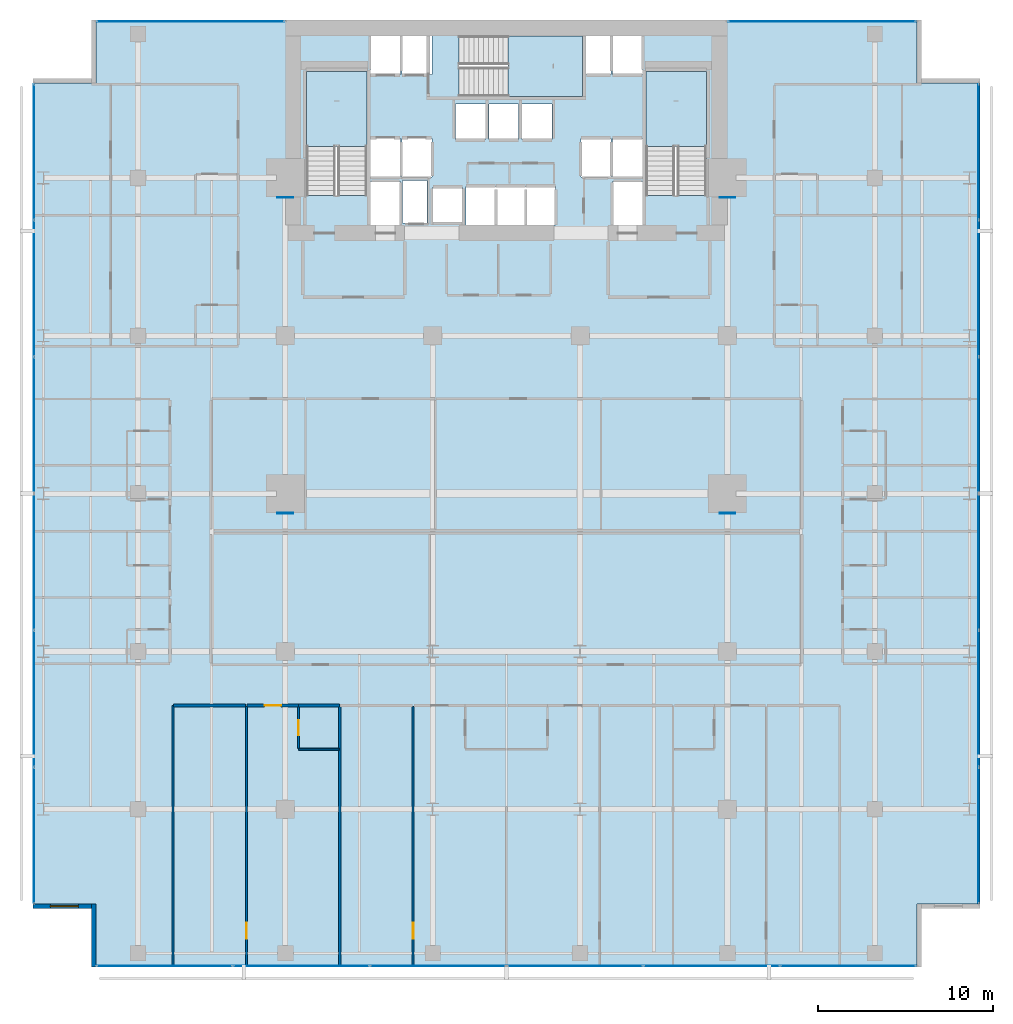
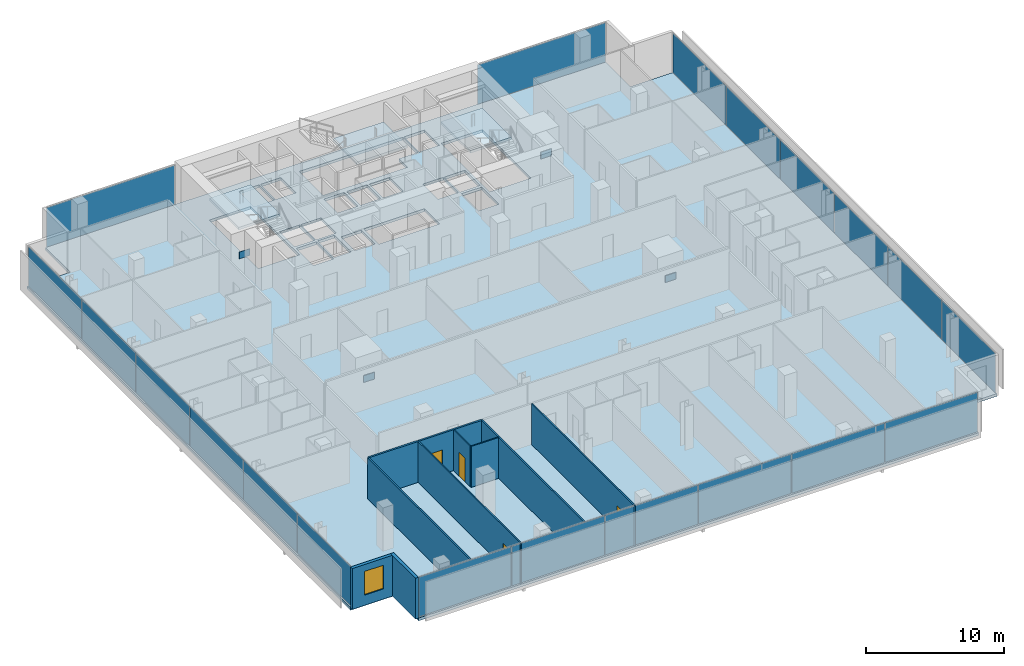
# One storey, part 32 of 40: 24 plates, 11 walls, 4 doors, 4 slabs, 1 window, 5 openings, 8 elements without a shape of their own.
"""IFC4 building model written with IfcOpenShell, lengths in metres."""

from ifc_helpers import new_model, si_unit, direction, frame, frame_2d, origin, origin_2d, place, context, subcontext, project, spatial, polyline, rectangle, outline, extrude, material, layer, layer_set, type_object, element, fill, aggregate, save


model = new_model("IFC4")

# Units and contexts
model_context = context("Model", 3, precision=1e-05, world=origin(), true_north=direction((0.0, 1.0)))
body_context = subcontext(model_context, "Body", "Model", "MODEL_VIEW")
ifc_project = project(units=[si_unit("LENGTHUNIT", "METRE"), si_unit("AREAUNIT", "SQUARE_METRE"), si_unit("VOLUMEUNIT", "CUBIC_METRE"), si_unit("PLANEANGLEUNIT", "RADIAN"), si_unit("MASSUNIT", "GRAM", prefix="KILO")], contexts=[model_context])

# Site, building, storey
site_placement = place(None, origin())
site = spatial("IfcSite", under=ifc_project, at=site_placement, CompositionType="ELEMENT")
building_placement = place(site_placement, origin())
building = spatial("IfcBuilding", under=site, at=building_placement, Name="Maruvema Waterfront Hotel and Observation Tower", CompositionType="ELEMENT")
storey_placement = place(building_placement, frame((0.0, 0.0, 107.800048828125)))
storey = spatial("IfcBuildingStorey", under=building, at=storey_placement, Name="L26", CompositionType="ELEMENT", Elevation=107.800048828125)

# Slab
ifc_material_1 = material(Name="Concrete C50/60", Category="concrete")
ifc_layer_1 = layer(ifc_material_1, 0.239990234375, Name="Reinforced Concrete Floor Slab 240 mm")
ifc_layer_set_1 = layer_set([ifc_layer_1], Name="Concrete C50/60")
slab_type_1 = type_object("IfcSlabType", Name="Reinforced Concrete Floor Slab 240 mm", PredefinedType="FLOOR", material=ifc_layer_set_1)
slab_1_placement = place(storey_placement, frame((0.0, 0.0, -0.239990234375)))
element("IfcSlab", 1, at=slab_1_placement, inside=storey, type_object=slab_type_1, Name="L26 Structural Floor Slab", PredefinedType="FLOOR", context=body_context, shape_type="SweptSolid", body=[
    extrude(outline(polyline([(14.39990234375, 0.0), (61.199951171875, 0.0), (61.199951171875, 3.60009765625), (64.800048828125, 3.60009765625), (64.800048828125, 50.39990234375), (61.199951171875, 50.39990234375), (61.199951171875, 54.0), (14.39990234375, 54.0), (14.39990234375, 50.39990234375), (10.800048828125, 50.39990234375), (10.800048828125, 3.60009765625), (14.39990234375, 3.60009765625), (14.39990234375, 0.0)]), holes=[polyline([(26.39990234375, 44.00048828125), (26.39990234375, 51.050048828125), (29.85009765625, 51.050048828125), (29.85009765625, 44.00048828125), (26.39990234375, 44.00048828125)]), polyline([(30.050048828125, 44.800048828125), (31.75, 44.800048828125), (31.75, 42.320068359375), (30.050048828125, 42.320068359375), (30.050048828125, 44.800048828125)]), polyline([(31.75, 47.25), (31.75, 45.050048828125), (30.050048828125, 45.050048828125), (30.050048828125, 47.25), (31.75, 47.25)]), polyline([(31.75, 53.10009765625), (31.75, 50.89990234375), (30.050048828125, 50.89990234375), (30.050048828125, 53.10009765625), (31.75, 53.10009765625)]), polyline([(33.280029296875, 44.860107421875), (33.280029296875, 42.43994140625), (31.8798828125, 42.43994140625), (31.8798828125, 44.860107421875), (33.280029296875, 44.860107421875)]), polyline([(31.85009765625, 47.25), (33.550048828125, 47.25), (33.550048828125, 45.050048828125), (31.85009765625, 45.050048828125), (31.85009765625, 47.25)]), polyline([(31.85009765625, 53.10009765625), (33.550048828125, 53.10009765625), (33.550048828125, 50.89990234375), (31.85009765625, 50.89990234375), (31.85009765625, 53.10009765625)]), polyline([(33.60009765625, 44.449951171875), (35.300048828125, 44.449951171875), (35.300048828125, 42.449951171875), (33.60009765625, 42.449951171875), (33.60009765625, 44.449951171875)]), polyline([(34.89990234375, 49.199951171875), (36.60009765625, 49.199951171875), (36.60009765625, 47.199951171875), (34.89990234375, 47.199951171875), (34.89990234375, 49.199951171875)]), polyline([(38.5, 49.199951171875), (38.5, 47.199951171875), (36.800048828125, 47.199951171875), (36.800048828125, 49.199951171875), (38.5, 49.199951171875)]), polyline([(35.5, 44.5), (40.60009765625, 44.5), (40.60009765625, 42.300048828125), (35.5, 42.300048828125), (35.5, 44.5)]), polyline([(43.75, 50.89990234375), (42.14990234375, 50.89990234375), (42.14990234375, 49.64990234375), (35.1005859375, 49.64990234375), (35.1005859375, 53.10009765625), (43.75, 53.10009765625), (43.75, 50.89990234375)]), polyline([(40.39990234375, 49.199951171875), (40.39990234375, 47.199951171875), (38.699951171875, 47.199951171875), (38.699951171875, 49.199951171875), (40.39990234375, 49.199951171875)]), polyline([(43.75, 47.25), (43.75, 45.050048828125), (42.050048828125, 45.050048828125), (42.050048828125, 47.25), (43.75, 47.25)]), polyline([(45.550048828125, 44.800048828125), (45.550048828125, 42.320068359375), (43.85009765625, 42.320068359375), (43.85009765625, 44.800048828125), (45.550048828125, 44.800048828125)]), polyline([(43.85009765625, 47.25), (45.550048828125, 47.25), (45.550048828125, 45.050048828125), (43.85009765625, 45.050048828125), (43.85009765625, 47.25)]), polyline([(45.550048828125, 53.10009765625), (45.550048828125, 50.89990234375), (43.85009765625, 50.89990234375), (43.85009765625, 53.10009765625), (45.550048828125, 53.10009765625)]), polyline([(45.75, 51.050048828125), (49.199951171875, 51.050048828125), (49.199951171875, 44.00048828125), (45.75, 44.00048828125), (45.75, 51.050048828125)])]), origin(), (0.0, 0.0, 1.0), 0.239990234375),
])

# Curtain wall, plates
ifc_material_2 = material(Name="Anodised bronze aluminium and solar-control low-E IGU", Category="aluminium")
ifc_layer_2 = layer(ifc_material_2, 0.159912109375, Name="Zone 1 Bronze Inner Thermal Curtain Wall System CW-02")
ifc_layer_set_2 = layer_set([ifc_layer_2], Name="Anodised bronze aluminium and solar-control low-E IGU")
curtain_wall_type = type_object("IfcCurtainWallType", Name="Zone 1 Bronze Inner Thermal Curtain Wall System CW-02", PredefinedType="USERDEFINED", material=ifc_layer_set_2)
curtain_wall_1_placement = place(storey_placement, origin())
curtain_wall_1 = element("IfcCurtainWall", 2, at=curtain_wall_1_placement, inside=storey, type_object=curtain_wall_type, Name="L26 Curtain Wall CW-L26-S", ObjectType="UNITISED CURTAIN WALL", PredefinedType="USERDEFINED")
ifc_material_3 = material(Name="Laminated low-E solar-control double glazing", Category="glass")
ifc_layer_3 = layer(ifc_material_3, 0.035888671875, Name="Solar Control Double-Glazed Curtain Panel 36 mm")
ifc_layer_set_3 = layer_set([ifc_layer_3], Name="Laminated low-E solar-control double glazing")
plate_type_1 = type_object("IfcPlateType", Name="Solar Control Double-Glazed Curtain Panel 36 mm", PredefinedType="CURTAIN_PANEL", material=ifc_layer_set_3)
plate_1_placement = place(storey_placement, frame((18.31494140625, 0.080078125, 0.06005859375), z_axis=(0.0, 0.0, 1.0), x_axis=(1.0, 0.0, 0.0)))
plate_1 = element("IfcPlate", 3, at=plate_1_placement, type_object=plate_type_1, Name="CW-02 panel 1.1", PredefinedType="CURTAIN_PANEL", context=body_context, shape_type="SweptSolid", body=[
    extrude(rectangle(XDim=7.7099609375, YDim=0.028076171875, at=origin_2d()), origin(), (0.0, 0.0, 1.0), 3.489990234375),
])
plate_2_placement = place(storey_placement, frame((26.10009765625, 0.080078125, 0.06005859375), z_axis=(0.0, 0.0, 1.0), x_axis=(1.0, 0.0, 0.0)))
plate_2 = element("IfcPlate", 4, at=plate_2_placement, type_object=plate_type_1, Name="CW-02 panel 2.1", PredefinedType="CURTAIN_PANEL", context=body_context, shape_type="SweptSolid", body=[
    extrude(rectangle(XDim=7.739990234375, YDim=0.028076171875, at=origin_2d()), origin(), (0.0, 0.0, 1.0), 3.489990234375),
])
plate_3_placement = place(storey_placement, frame((33.89990234375, 0.080078125, 0.06005859375), z_axis=(0.0, 0.0, 1.0), x_axis=(1.0, 0.0, 0.0)))
plate_3 = element("IfcPlate", 5, at=plate_3_placement, type_object=plate_type_1, Name="CW-02 panel 3.1", PredefinedType="CURTAIN_PANEL", context=body_context, shape_type="SweptSolid", body=[
    extrude(rectangle(XDim=7.739990234375, YDim=0.028076171875, at=origin_2d()), origin(), (0.0, 0.0, 1.0), 3.489990234375),
])
plate_4_placement = place(storey_placement, frame((41.699951171875, 0.080078125, 0.06005859375), z_axis=(0.0, 0.0, 1.0), x_axis=(1.0, 0.0, 0.0)))
plate_4 = element("IfcPlate", 6, at=plate_4_placement, type_object=plate_type_1, Name="CW-02 panel 4.1", PredefinedType="CURTAIN_PANEL", context=body_context, shape_type="SweptSolid", body=[
    extrude(rectangle(XDim=7.739990234375, YDim=0.028076171875, at=origin_2d()), origin(), (0.0, 0.0, 1.0), 3.489990234375),
])
plate_5_placement = place(storey_placement, frame((49.5, 0.080078125, 0.06005859375), z_axis=(0.0, 0.0, 1.0), x_axis=(1.0, 0.0, 0.0)))
plate_5 = element("IfcPlate", 7, at=plate_5_placement, type_object=plate_type_1, Name="CW-02 panel 5.1", PredefinedType="CURTAIN_PANEL", context=body_context, shape_type="SweptSolid", body=[
    extrude(rectangle(XDim=7.739990234375, YDim=0.028076171875, at=origin_2d()), origin(), (0.0, 0.0, 1.0), 3.489990234375),
])
plate_6_placement = place(storey_placement, frame((57.284912109375, 0.080078125, 0.06005859375), z_axis=(0.0, 0.0, 1.0), x_axis=(1.0, 0.0, 0.0)))
plate_6 = element("IfcPlate", 8, at=plate_6_placement, type_object=plate_type_1, Name="CW-02 panel 6.1", PredefinedType="CURTAIN_PANEL", context=body_context, shape_type="SweptSolid", body=[
    extrude(rectangle(XDim=7.7099609375, YDim=0.028076171875, at=origin_2d()), origin(), (0.0, 0.0, 1.0), 3.489990234375),
])
aggregate(curtain_wall_1, [plate_1, plate_2, plate_3, plate_4, plate_5, plate_6])

curtain_wall_2_placement = place(storey_placement, origin())
curtain_wall_2 = element("IfcCurtainWall", 9, at=curtain_wall_2_placement, inside=storey, type_object=curtain_wall_type, Name="L26 Curtain Wall CW-L26-E", ObjectType="UNITISED CURTAIN WALL", PredefinedType="USERDEFINED")
plate_7_placement = place(storey_placement, frame((64.719970703125, 7.514892578125, 0.06005859375), z_axis=(0.0, 0.0, 1.0), x_axis=(0.0, 1.0, 0.0)))
plate_7 = element("IfcPlate", 10, at=plate_7_placement, type_object=plate_type_1, Name="CW-02 panel 1.1", PredefinedType="CURTAIN_PANEL", context=body_context, shape_type="SweptSolid", body=[
    extrude(rectangle(XDim=7.7099609375, YDim=0.028076171875, at=origin_2d()), origin(), (0.0, 0.0, 1.0), 3.489990234375),
])
plate_8_placement = place(storey_placement, frame((64.719970703125, 15.300048828125, 0.06005859375), z_axis=(0.0, 0.0, 1.0), x_axis=(0.0, 1.0, 0.0)))
plate_8 = element("IfcPlate", 11, at=plate_8_placement, type_object=plate_type_1, Name="CW-02 panel 2.1", PredefinedType="CURTAIN_PANEL", context=body_context, shape_type="SweptSolid", body=[
    extrude(rectangle(XDim=7.739990234375, YDim=0.028076171875, at=origin_2d()), origin(), (0.0, 0.0, 1.0), 3.489990234375),
])
plate_9_placement = place(storey_placement, frame((64.719970703125, 23.10009765625, 0.06005859375), z_axis=(0.0, 0.0, 1.0), x_axis=(0.0, 1.0, 0.0)))
plate_9 = element("IfcPlate", 12, at=plate_9_placement, type_object=plate_type_1, Name="CW-02 panel 3.1", PredefinedType="CURTAIN_PANEL", context=body_context, shape_type="SweptSolid", body=[
    extrude(rectangle(XDim=7.739990234375, YDim=0.028076171875, at=origin_2d()), origin(), (0.0, 0.0, 1.0), 3.489990234375),
])
plate_10_placement = place(storey_placement, frame((64.719970703125, 30.89990234375, 0.06005859375), z_axis=(0.0, 0.0, 1.0), x_axis=(0.0, 1.0, 0.0)))
plate_10 = element("IfcPlate", 13, at=plate_10_placement, type_object=plate_type_1, Name="CW-02 panel 4.1", PredefinedType="CURTAIN_PANEL", context=body_context, shape_type="SweptSolid", body=[
    extrude(rectangle(XDim=7.739990234375, YDim=0.028076171875, at=origin_2d()), origin(), (0.0, 0.0, 1.0), 3.489990234375),
])
plate_11_placement = place(storey_placement, frame((64.719970703125, 38.699951171875, 0.06005859375), z_axis=(0.0, 0.0, 1.0), x_axis=(0.0, 1.0, 0.0)))
plate_11 = element("IfcPlate", 14, at=plate_11_placement, type_object=plate_type_1, Name="CW-02 panel 5.1", PredefinedType="CURTAIN_PANEL", context=body_context, shape_type="SweptSolid", body=[
    extrude(rectangle(XDim=7.739990234375, YDim=0.028076171875, at=origin_2d()), origin(), (0.0, 0.0, 1.0), 3.489990234375),
])
plate_12_placement = place(storey_placement, frame((64.719970703125, 46.485107421875, 0.06005859375), z_axis=(0.0, 0.0, 1.0), x_axis=(0.0, 1.0, 0.0)))
plate_12 = element("IfcPlate", 15, at=plate_12_placement, type_object=plate_type_1, Name="CW-02 panel 6.1", PredefinedType="CURTAIN_PANEL", context=body_context, shape_type="SweptSolid", body=[
    extrude(rectangle(XDim=7.7099609375, YDim=0.028076171875, at=origin_2d()), origin(), (0.0, 0.0, 1.0), 3.489990234375),
])
aggregate(curtain_wall_2, [plate_7, plate_8, plate_9, plate_10, plate_11, plate_12])

curtain_wall_3_placement = place(storey_placement, origin())
curtain_wall_3 = element("IfcCurtainWall", 16, at=curtain_wall_3_placement, inside=storey, type_object=curtain_wall_type, Name="L26 Curtain Wall CW-L26-W", ObjectType="UNITISED CURTAIN WALL", PredefinedType="USERDEFINED")
plate_13_placement = place(storey_placement, frame((10.8798828125, 46.485107421875, 0.06005859375), z_axis=(0.0, 0.0, 1.0), x_axis=(0.0, -1.0, 0.0)))
plate_13 = element("IfcPlate", 17, at=plate_13_placement, type_object=plate_type_1, Name="CW-02 panel 1.1", PredefinedType="CURTAIN_PANEL", context=body_context, shape_type="SweptSolid", body=[
    extrude(rectangle(XDim=7.7099609375, YDim=0.028076171875, at=origin_2d()), origin(), (0.0, 0.0, 1.0), 3.489990234375),
])
plate_14_placement = place(storey_placement, frame((10.8798828125, 38.699951171875, 0.06005859375), z_axis=(0.0, 0.0, 1.0), x_axis=(0.0, -1.0, 0.0)))
plate_14 = element("IfcPlate", 18, at=plate_14_placement, type_object=plate_type_1, Name="CW-02 panel 2.1", PredefinedType="CURTAIN_PANEL", context=body_context, shape_type="SweptSolid", body=[
    extrude(rectangle(XDim=7.739990234375, YDim=0.028076171875, at=origin_2d()), origin(), (0.0, 0.0, 1.0), 3.489990234375),
])
plate_15_placement = place(storey_placement, frame((10.8798828125, 30.89990234375, 0.06005859375), z_axis=(0.0, 0.0, 1.0), x_axis=(0.0, -1.0, 0.0)))
plate_15 = element("IfcPlate", 19, at=plate_15_placement, type_object=plate_type_1, Name="CW-02 panel 3.1", PredefinedType="CURTAIN_PANEL", context=body_context, shape_type="SweptSolid", body=[
    extrude(rectangle(XDim=7.739990234375, YDim=0.028076171875, at=origin_2d()), origin(), (0.0, 0.0, 1.0), 3.489990234375),
])
plate_16_placement = place(storey_placement, frame((10.8798828125, 23.10009765625, 0.06005859375), z_axis=(0.0, 0.0, 1.0), x_axis=(0.0, -1.0, 0.0)))
plate_16 = element("IfcPlate", 20, at=plate_16_placement, type_object=plate_type_1, Name="CW-02 panel 4.1", PredefinedType="CURTAIN_PANEL", context=body_context, shape_type="SweptSolid", body=[
    extrude(rectangle(XDim=7.739990234375, YDim=0.028076171875, at=origin_2d()), origin(), (0.0, 0.0, 1.0), 3.489990234375),
])
plate_17_placement = place(storey_placement, frame((10.8798828125, 15.300048828125, 0.06005859375), z_axis=(0.0, 0.0, 1.0), x_axis=(0.0, -1.0, 0.0)))
plate_17 = element("IfcPlate", 21, at=plate_17_placement, type_object=plate_type_1, Name="CW-02 panel 5.1", PredefinedType="CURTAIN_PANEL", context=body_context, shape_type="SweptSolid", body=[
    extrude(rectangle(XDim=7.739990234375, YDim=0.028076171875, at=origin_2d()), origin(), (0.0, 0.0, 1.0), 3.489990234375),
])
plate_18_placement = place(storey_placement, frame((10.8798828125, 7.514892578125, 0.06005859375), z_axis=(0.0, 0.0, 1.0), x_axis=(0.0, -1.0, 0.0)))
plate_18 = element("IfcPlate", 22, at=plate_18_placement, type_object=plate_type_1, Name="CW-02 panel 6.1", PredefinedType="CURTAIN_PANEL", context=body_context, shape_type="SweptSolid", body=[
    extrude(rectangle(XDim=7.7099609375, YDim=0.028076171875, at=origin_2d()), origin(), (0.0, 0.0, 1.0), 3.489990234375),
])
aggregate(curtain_wall_3, [plate_13, plate_14, plate_15, plate_16, plate_17, plate_18])

# Curtain wall, plate
curtain_wall_4_placement = place(storey_placement, origin())
curtain_wall_4 = element("IfcCurtainWall", 23, at=curtain_wall_4_placement, inside=storey, type_object=curtain_wall_type, Name="L26 Curtain Wall CW-L26-NW", ObjectType="UNITISED CURTAIN WALL", PredefinedType="USERDEFINED")
plate_19_placement = place(storey_placement, frame((19.800048828125, 53.919921875, 0.06005859375), z_axis=(0.0, 0.0, 1.0), x_axis=(-1.0, 0.0, 0.0)))
plate_19 = element("IfcPlate", 24, at=plate_19_placement, type_object=plate_type_1, Name="CW-02 panel 1.1", PredefinedType="CURTAIN_PANEL", context=body_context, shape_type="SweptSolid", body=[
    extrude(rectangle(XDim=10.679931640625, YDim=0.028076171875, at=origin_2d()), origin(), (0.0, 0.0, 1.0), 3.489990234375),
])
aggregate(curtain_wall_4, [plate_19])

curtain_wall_5_placement = place(storey_placement, origin())
curtain_wall_5 = element("IfcCurtainWall", 25, at=curtain_wall_5_placement, inside=storey, type_object=curtain_wall_type, Name="L26 Curtain Wall CW-L26-NE", ObjectType="UNITISED CURTAIN WALL", PredefinedType="USERDEFINED")
plate_20_placement = place(storey_placement, frame((55.800048828125, 53.919921875, 0.06005859375), z_axis=(0.0, 0.0, 1.0), x_axis=(-1.0, 0.0, 0.0)))
plate_20 = element("IfcPlate", 26, at=plate_20_placement, type_object=plate_type_1, Name="CW-02 panel 1.1", PredefinedType="CURTAIN_PANEL", context=body_context, shape_type="SweptSolid", body=[
    extrude(rectangle(XDim=10.679931640625, YDim=0.028076171875, at=origin_2d()), origin(), (0.0, 0.0, 1.0), 3.489990234375),
])
aggregate(curtain_wall_5, [plate_20])

# Stair, slab
ifc_material_4 = material(Name="Concrete C50/60", Category="concrete")
stair_type = type_object("IfcStairType", Name="Dogleg Exit Stair 1650 mm (22R x 175.0 mm)", PredefinedType="HALF_TURN_STAIR", material=ifc_material_4)
stair_1_placement = place(storey_placement, origin())
stair_1 = element("IfcStair", 27, at=stair_1_placement, inside=storey, type_object=stair_type, Name="L26 ST-01", PredefinedType="HALF_TURN_STAIR")
ifc_material_5 = material(Name="Concrete C50/60", Category="concrete")
ifc_layer_4 = layer(ifc_material_5, 0.219970703125, Name="Stair Concrete Landing Slab 220 mm")
ifc_layer_set_4 = layer_set([ifc_layer_4], Name="Concrete C50/60")
slab_type_2 = type_object("IfcSlabType", Name="Stair Concrete Landing Slab 220 mm", PredefinedType="LANDING", material=ifc_layer_set_4)
slab_2_placement = place(storey_placement, frame((0.0, 0.0, 1.704833984375)))
slab_2 = element("IfcSlab", 28, at=slab_2_placement, type_object=slab_type_2, Name="ST-01 landing 1", PredefinedType="LANDING", context=body_context, shape_type="SweptSolid", body=[
    extrude(outline(polyline([(29.85009765625, 46.800048828125), (29.85009765625, 51.050048828125), (26.39990234375, 51.050048828125), (26.39990234375, 46.800048828125), (29.85009765625, 46.800048828125)])), origin(), (0.0, 0.0, 1.0), 0.22021484375),
])
aggregate(stair_1, [slab_2])

stair_2_placement = place(storey_placement, origin())
stair_2 = element("IfcStair", 29, at=stair_2_placement, inside=storey, type_object=stair_type, Name="L26 ST-02", PredefinedType="HALF_TURN_STAIR")
slab_3_placement = place(storey_placement, frame((0.0, 0.0, 1.704833984375)))
slab_3 = element("IfcSlab", 30, at=slab_3_placement, type_object=slab_type_2, Name="ST-02 landing 1", PredefinedType="LANDING", context=body_context, shape_type="SweptSolid", body=[
    extrude(outline(polyline([(37.89990234375, 49.64990234375), (42.14990234375, 49.64990234375), (42.14990234375, 53.10009765625), (37.89990234375, 53.10009765625), (37.89990234375, 49.64990234375)])), origin(), (0.0, 0.0, 1.0), 0.22021484375),
])
aggregate(stair_2, [slab_3])

stair_3_placement = place(storey_placement, origin())
stair_3 = element("IfcStair", 31, at=stair_3_placement, inside=storey, type_object=stair_type, Name="L26 ST-03", PredefinedType="HALF_TURN_STAIR")
slab_4_placement = place(storey_placement, frame((0.0, 0.0, 1.704833984375)))
slab_4 = element("IfcSlab", 32, at=slab_4_placement, type_object=slab_type_2, Name="ST-03 landing 1", PredefinedType="LANDING", context=body_context, shape_type="SweptSolid", body=[
    extrude(outline(polyline([(49.199951171875, 46.800048828125), (49.199951171875, 51.050048828125), (45.75, 51.050048828125), (45.75, 46.800048828125), (49.199951171875, 46.800048828125)])), origin(), (0.0, 0.0, 1.0), 0.22021484375),
])
aggregate(stair_3, [slab_4])

# Plates
ifc_material_6 = material(Name="Steel ABNT NBR 7007 AR 415 (ASTM A572 Grade 50)", Category="steel")
ifc_layer_5 = layer(ifc_material_6, 0.0400390625, Name="Structural Truss Node Gusset Plate 40 mm")
ifc_layer_set_5 = layer_set([ifc_layer_5], Name="Steel ABNT NBR 7007 AR 415 (ASTM A572 Grade 50)")
plate_type_2 = type_object("IfcPlateType", Name="Structural Truss Node Gusset Plate 40 mm", PredefinedType="USERDEFINED", material=ifc_layer_set_5)
for number, where, z_axis, x_axis, name in (
    (33, (25.199951171875, 25.8798828125, 1.5), (0.0, 0.0, 1.0), (1.0, 0.0, 0.0), "L26 MC-01 Moment Frame Continuity Gusset Plate"),
    (34, (50.39990234375, 25.8798828125, 1.5), (0.0, 0.0, 1.0), (1.0, 0.0, 0.0), "L26 MC-02 Moment Frame Continuity Gusset Plate"),
    (35, (25.199951171875, 43.8798828125, 1.5), (0.0, 0.0, 1.0), (1.0, 0.0, 0.0), "L26 MC-03 Moment Frame Continuity Gusset Plate"),
    (36, (50.39990234375, 43.8798828125, 1.5), (0.0, 0.0, 1.0), (1.0, 0.0, 0.0), "L26 MC-04 Moment Frame Continuity Gusset Plate"),
):
    element("IfcPlate", number, at=place(storey_placement, frame(where, z_axis=z_axis, x_axis=x_axis)), inside=storey, type_object=plate_type_2, Name=name, ObjectType="GUSSET_PLATE", PredefinedType="USERDEFINED", context=body_context, shape_type="SweptSolid", body=[
        extrude(rectangle(XDim=0.89990234375, YDim=0.0400390625, at=origin_2d()), origin(), (0.0, 0.0, 1.0), 0.60009765625),
    ])

# Walls
ifc_material_7 = material(Name="Twin-stud acoustic gypsum drywall", Category="gypsum")
ifc_layer_6 = layer(ifc_material_7, 0.14990234375, Name="Acoustic Corridor and Suite Demising Wall 150 mm")
ifc_layer_set_6 = layer_set([ifc_layer_6], Name="Twin-stud acoustic gypsum drywall")
wall_type_1 = type_object("IfcWallType", Name="Acoustic Corridor and Suite Demising Wall 150 mm", PredefinedType="PARTITIONING", material=ifc_layer_set_6)
wall_1_placement = place(storey_placement, frame((25.949951171875, 14.919921875, 0.0), z_axis=(0.0, 0.0, 1.0), x_axis=(1.0, 0.0, 0.0)))
element("IfcWall", 37, at=wall_1_placement, inside=storey, type_object=wall_type_1, Name="L26 Bath L26-S1 Back Wall 040", PredefinedType="PARTITIONING", context=body_context, shape_type="SweptSolid", body=[
    extrude(rectangle(XDim=2.330078125, YDim=0.14990234375, at=frame_2d((1.1650390625, 0.0))), origin(), (0.0, 0.0, 1.0), 3.60986328125),
])
wall_2_placement = place(storey_placement, frame((18.820068359375, 14.919921875, 0.0), z_axis=(0.0, 0.0, 1.0), x_axis=(1.0, 0.0, 0.0)))
element("IfcWall", 38, at=wall_2_placement, inside=storey, type_object=wall_type_1, Name="L26 Bedroom L26-S1 Back Wall 043", PredefinedType="PARTITIONING", context=body_context, shape_type="SweptSolid", body=[
    extrude(rectangle(XDim=4.119873046875, YDim=0.14990234375, at=frame_2d((2.06005859375, 0.0))), origin(), (0.0, 0.0, 1.0), 3.60986328125),
])

# Wall, opening, door
wall_3_placement = place(storey_placement, frame((23.02001953125, 14.919921875, 0.0), z_axis=(0.0, 0.0, 1.0), x_axis=(1.0, 0.0, 0.0)))
wall_3 = element("IfcWall", 39, at=wall_3_placement, inside=storey, type_object=wall_type_1, Name="L26 Unit L26-S1 Corridor Wall 044", PredefinedType="PARTITIONING", context=body_context, shape_type="SweptSolid", body=[
    extrude(rectangle(XDim=2.929931640625, YDim=0.14990234375, at=frame_2d((1.46484375, 0.0))), origin(), (0.0, 0.0, 1.0), 3.60986328125),
])
opening_1_placement = place(wall_3_placement, frame((0.989990234375, 0.0, 0.0)))
opening_1 = element("IfcOpeningElement", 40, at=opening_1_placement, cuts=wall_3, Name="Opening DR-095", PredefinedType="OPENING", context=body_context, shape_type="SweptSolid", body=[
    extrude(rectangle(XDim=0.949951171875, YDim=2.14990234375, at=frame_2d((0.47509765625, 1.074951171875))), frame((0.0, 0.0849609375, 0.0), z_axis=(0.0, -1.0, 0.0), x_axis=(1.0, 0.0, 0.0)), (0.0, 0.0, 1.0), 0.169921875),
])
ifc_material_8 = material(Name="Acoustic solid-core hardwood timber leaf", Category="wood")
door_type_1 = type_object("IfcDoorType", Name="Guestroom Entrance Fire Door 950x2150 mm", OperationType="NOTDEFINED", PredefinedType="DOOR", material=ifc_material_8)
door_1_placement = place(opening_1_placement, frame((0.949951171875, 0.0, 0.0), z_axis=(0.0, 0.0, 1.0), x_axis=(-1.0, 0.0, 0.0)))
door_1 = element("IfcDoor", 41, at=door_1_placement, inside=storey, type_object=door_type_1, Name="L26 Unit L26-S1 Entrance Door", OperationType="SINGLE_SWING_LEFT", OverallHeight=2.14990234375, OverallWidth=0.949951171875, PredefinedType="DOOR", context=body_context, shape_type="SweptSolid", body=[
    extrude(rectangle(XDim=0.949951171875, YDim=2.14990234375, at=frame_2d((0.47509765625, 1.074951171875))), frame((0.0, 0.02490234375, 0.0), z_axis=(0.0, -1.0, 0.0), x_axis=(1.0, 0.0, 0.0)), (0.0, 0.0, 1.0), 0.050048828125),
])
fill(opening_1, door_1)

# Wall
ifc_material_9 = material(Name="Moisture-resistant cement-board drywall", Category="gypsum")
ifc_layer_7 = layer(ifc_material_9, 0.10009765625, Name="En-Suite Moisture-Resistant Partition 100 mm")
ifc_layer_set_7 = layer_set([ifc_layer_7], Name="Moisture-resistant cement-board drywall")
wall_type_2 = type_object("IfcWallType", Name="En-Suite Moisture-Resistant Partition 100 mm", PredefinedType="PARTITIONING", material=ifc_layer_set_7)
wall_4_placement = place(storey_placement, frame((25.949951171875, 12.419921875, 0.0), z_axis=(0.0, 0.0, 1.0), x_axis=(1.0, 0.0, 0.0)))
element("IfcWall", 42, at=wall_4_placement, inside=storey, type_object=wall_type_2, Name="L26 En-Suite L26-S1 South 041", PredefinedType="PARTITIONING", context=body_context, shape_type="SweptSolid", body=[
    extrude(rectangle(XDim=2.31005859375, YDim=0.10009765625, at=frame_2d((1.155029296875, 0.0))), origin(), (0.0, 0.0, 1.0), 3.60986328125),
])

# Wall, opening, door
wall_5_placement = place(storey_placement, frame((25.949951171875, 12.47998046875, 0.0), z_axis=(0.0, 0.0, 1.0), x_axis=(0.0, 1.0, 0.0)))
wall_5 = element("IfcWall", 43, at=wall_5_placement, inside=storey, type_object=wall_type_2, Name="L26 En-Suite L26-S1 West 042", PredefinedType="PARTITIONING", context=body_context, shape_type="SweptSolid", body=[
    extrude(rectangle(XDim=2.340087890625, YDim=0.10009765625, at=frame_2d((1.169921875, 0.0))), origin(), (0.0, 0.0, 1.0), 3.60986328125),
])
opening_2_placement = place(wall_5_placement, frame((0.7451171875, 0.0, 0.0)))
opening_2 = element("IfcOpeningElement", 44, at=opening_2_placement, cuts=wall_5, Name="Opening DR-085", PredefinedType="OPENING", context=body_context, shape_type="SweptSolid", body=[
    extrude(rectangle(XDim=0.85009765625, YDim=2.10009765625, at=frame_2d((0.425048828125, 1.050048828125))), frame((0.0, 0.06005859375, 0.0), z_axis=(0.0, -1.0, 0.0), x_axis=(1.0, 0.0, 0.0)), (0.0, 0.0, 1.0), 0.1201171875),
])
ifc_material_10 = material(Name="Moisture-resistant solid timber leaf", Category="wood")
door_type_2 = type_object("IfcDoorType", Name="En-Suite Bathroom Door 850x2100 mm", OperationType="NOTDEFINED", PredefinedType="DOOR", material=ifc_material_10)
door_2_placement = place(opening_2_placement, origin())
door_2 = element("IfcDoor", 45, at=door_2_placement, inside=storey, type_object=door_type_2, Name="L26 En-Suite L26-S1 Door", OperationType="SINGLE_SWING_RIGHT", OverallHeight=2.10009765625, OverallWidth=0.85009765625, PredefinedType="DOOR", context=body_context, shape_type="SweptSolid", body=[
    extrude(rectangle(XDim=0.85009765625, YDim=2.10009765625, at=frame_2d((0.425048828125, 1.050048828125))), frame((0.0, 0.02490234375, 0.0), z_axis=(0.0, -1.0, 0.0), x_axis=(1.0, 0.0, 0.0)), (0.0, 0.0, 1.0), 0.050048828125),
])
fill(opening_2, door_2)

wall_6_placement = place(storey_placement, frame((22.97998046875, 0.030029296875, 0.0), z_axis=(0.0, 0.0, 1.0), x_axis=(0.0, 1.0, 0.0)))
wall_6 = element("IfcWall", 46, at=wall_6_placement, inside=storey, type_object=wall_type_2, Name="L26 Suite L26-S1 Split 045", PredefinedType="PARTITIONING", context=body_context, shape_type="SweptSolid", body=[
    extrude(rectangle(XDim=14.830078125, YDim=0.10009765625, at=frame_2d((7.4150390625, 0.0))), origin(), (0.0, 0.0, 1.0), 3.60986328125),
])
opening_3_placement = place(wall_6_placement, frame((1.60009765625, 0.0, 0.0)))
opening_3 = element("IfcOpeningElement", 47, at=opening_3_placement, cuts=wall_6, Name="Opening DR-090", PredefinedType="OPENING", context=body_context, shape_type="SweptSolid", body=[
    extrude(rectangle(XDim=0.89990234375, YDim=2.10009765625, at=frame_2d((0.449951171875, 1.050048828125))), frame((0.0, 0.06005859375, 0.0), z_axis=(0.0, -1.0, 0.0), x_axis=(1.0, 0.0, 0.0)), (0.0, 0.0, 1.0), 0.1201171875),
])
ifc_material_11 = material(Name="Solid-core lacquered timber leaf", Category="wood")
door_type_3 = type_object("IfcDoorType", Name="Accessible Toilet and Room Door 900x2100 mm", OperationType="NOTDEFINED", PredefinedType="DOOR", material=ifc_material_11)
door_3_placement = place(opening_3_placement, frame((0.89990234375, 0.0, 0.0), z_axis=(0.0, 0.0, 1.0), x_axis=(-1.0, 0.0, 0.0)))
door_3 = element("IfcDoor", 48, at=door_3_placement, inside=storey, type_object=door_type_3, Name="L26 Suite L26-S1 Bedroom Door", OperationType="SINGLE_SWING_RIGHT", OverallHeight=2.10009765625, OverallWidth=0.89990234375, PredefinedType="DOOR", context=body_context, shape_type="SweptSolid", body=[
    extrude(rectangle(XDim=0.89990234375, YDim=2.10009765625, at=frame_2d((0.449951171875, 1.050048828125))), frame((0.0, 0.02490234375, 0.0), z_axis=(0.0, -1.0, 0.0), x_axis=(1.0, 0.0, 0.0)), (0.0, 0.0, 1.0), 0.050048828125),
])
fill(opening_3, door_3)

wall_7_placement = place(storey_placement, frame((32.47998046875, 0.030029296875, 0.0), z_axis=(0.0, 0.0, 1.0), x_axis=(0.0, 1.0, 0.0)))
wall_7 = element("IfcWall", 49, at=wall_7_placement, inside=storey, type_object=wall_type_2, Name="L26 Suite L26-S2 Split 052", PredefinedType="PARTITIONING", context=body_context, shape_type="SweptSolid", body=[
    extrude(rectangle(XDim=14.830078125, YDim=0.10009765625, at=frame_2d((7.4150390625, 0.0))), origin(), (0.0, 0.0, 1.0), 3.60986328125),
])
opening_4_placement = place(wall_7_placement, frame((1.60009765625, 0.0, 0.0)))
opening_4 = element("IfcOpeningElement", 50, at=opening_4_placement, cuts=wall_7, Name="Opening DR-090", PredefinedType="OPENING", context=body_context, shape_type="SweptSolid", body=[
    extrude(rectangle(XDim=0.89990234375, YDim=2.10009765625, at=frame_2d((0.449951171875, 1.050048828125))), frame((0.0, 0.06005859375, 0.0), z_axis=(0.0, -1.0, 0.0), x_axis=(1.0, 0.0, 0.0)), (0.0, 0.0, 1.0), 0.1201171875),
])
door_4_placement = place(opening_4_placement, frame((0.89990234375, 0.0, 0.0), z_axis=(0.0, 0.0, 1.0), x_axis=(-1.0, 0.0, 0.0)))
door_4 = element("IfcDoor", 51, at=door_4_placement, inside=storey, type_object=door_type_3, Name="L26 Suite L26-S2 Bedroom Door", OperationType="SINGLE_SWING_LEFT", OverallHeight=2.10009765625, OverallWidth=0.89990234375, PredefinedType="DOOR", context=body_context, shape_type="SweptSolid", body=[
    extrude(rectangle(XDim=0.89990234375, YDim=2.10009765625, at=frame_2d((0.449951171875, 1.050048828125))), frame((0.0, 0.02490234375, 0.0), z_axis=(0.0, -1.0, 0.0), x_axis=(1.0, 0.0, 0.0)), (0.0, 0.0, 1.0), 0.050048828125),
])
fill(opening_4, door_4)

# Wall
ifc_material_12 = material(Name="Precast concrete C45/55 with honed Pernambuco granite facing", Category="masonry")
ifc_layer_8 = layer(ifc_material_12, 0.260009765625, Name="Exterior Granite Clad Spandrel and Pier Wall 260 mm")
ifc_layer_set_8 = layer_set([ifc_layer_8], Name="Precast concrete C45/55 with honed Pernambuco granite facing")
wall_type_3 = type_object("IfcWallType", Name="Exterior Granite Clad Spandrel and Pier Wall 260 mm", PredefinedType="SOLIDWALL", material=ifc_layer_set_8)
wall_8_placement = place(storey_placement, frame((14.27001953125, 0.0, 0.0), z_axis=(0.0, 0.0, 1.0), x_axis=(0.0, 1.0, 0.0)))
element("IfcWall", 52, at=wall_8_placement, inside=storey, type_object=wall_type_3, Name="L26 Corner Notch Granite Pier Wall SW1", PredefinedType="SOLIDWALL", context=body_context, shape_type="SweptSolid", body=[
    extrude(rectangle(XDim=3.60009765625, YDim=0.260009765625, at=frame_2d((1.800048828125, 0.0))), origin(), (0.0, 0.0, 1.0), 3.60986328125),
])

# Wall, opening, window
wall_9_placement = place(storey_placement, frame((14.39990234375, 3.469970703125, 0.0), z_axis=(0.0, 0.0, 1.0), x_axis=(-1.0, 0.0, 0.0)))
wall_9 = element("IfcWall", 53, at=wall_9_placement, inside=storey, type_object=wall_type_3, Name="L26 Corner Notch Granite Pier Wall SW2", PredefinedType="SOLIDWALL", context=body_context, shape_type="SweptSolid", body=[
    extrude(rectangle(XDim=3.599853515625, YDim=0.260009765625, at=frame_2d((1.7998046875, 0.0))), origin(), (0.0, 0.0, 1.0), 3.60986328125),
])
opening_5_placement = place(wall_9_placement, frame((1.0, 0.0, 0.89990234375)))
opening_5 = element("IfcOpeningElement", 54, at=opening_5_placement, cuts=wall_9, Name="Opening WN-01", PredefinedType="OPENING", context=body_context, shape_type="SweptSolid", body=[
    extrude(rectangle(XDim=1.60009765625, YDim=2.10009765625, at=frame_2d((0.800048828125, 1.050048828125))), frame((0.0, 0.14013671875, 0.0), z_axis=(0.0, -1.0, 0.0), x_axis=(1.0, 0.0, 0.0)), (0.0, 0.0, 1.0), 0.280029296875),
])
ifc_material_13 = material(Name="Anodised bronze aluminium frame with laminated low-E glass", Category="aluminium")
window_type = type_object("IfcWindowType", Name="Corner Notch Feature Window 1600x2100 mm", PartitioningType="SINGLE_PANEL", PredefinedType="WINDOW", material=ifc_material_13)
window_placement = place(opening_5_placement, origin())
window = element("IfcWindow", 55, at=window_placement, inside=storey, type_object=window_type, Name="L26 Corner Notch Punched Window SW2", OverallHeight=2.10009765625, OverallWidth=1.60009765625, PartitioningType="SINGLE_PANEL", PredefinedType="WINDOW", context=body_context, shape_type="SweptSolid", body=[
    extrude(rectangle(XDim=1.60009765625, YDim=2.10009765625, at=frame_2d((0.800048828125, 1.050048828125))), frame((0.0, 0.030029296875, 0.0), z_axis=(0.0, -1.0, 0.0), x_axis=(1.0, 0.0, 0.0)), (0.0, 0.0, 1.0), 0.06005859375),
])
fill(opening_5, window)

# Walls
ifc_material_14 = material(Name="Acoustic gypsum plasterboard drywall", Category="gypsum")
ifc_layer_9 = layer(ifc_material_14, 0.125, Name="Guestroom Acoustic Demising Wall 125 mm")
ifc_layer_set_9 = layer_set([ifc_layer_9], Name="Acoustic gypsum plasterboard drywall")
wall_type_4 = type_object("IfcWallType", Name="Guestroom Acoustic Demising Wall 125 mm", PredefinedType="PARTITIONING", material=ifc_layer_set_9)
for number, where, z_axis, x_axis, name in (
    (56, (18.800048828125, 0.10009765625, 0.0), (0.0, 0.0, 1.0), (0.0, 1.0, 0.0), "L26 S West End 038"),
    (57, (28.300048828125, 0.10009765625, 0.0), (0.0, 0.0, 1.0), (0.0, 1.0, 0.0), "L26 S Demising 2 046"),
):
    element("IfcWall", number, at=place(storey_placement, frame(where, z_axis=z_axis, x_axis=x_axis)), inside=storey, type_object=wall_type_4, Name=name, PredefinedType="PARTITIONING", context=body_context, shape_type="SweptSolid", body=[
        extrude(rectangle(XDim=14.81982421875, YDim=0.125, at=frame_2d((7.409912109375, 0.0))), origin(), (0.0, 0.0, 1.0), 3.60986328125),
    ])

save(model, "model.ifc")
